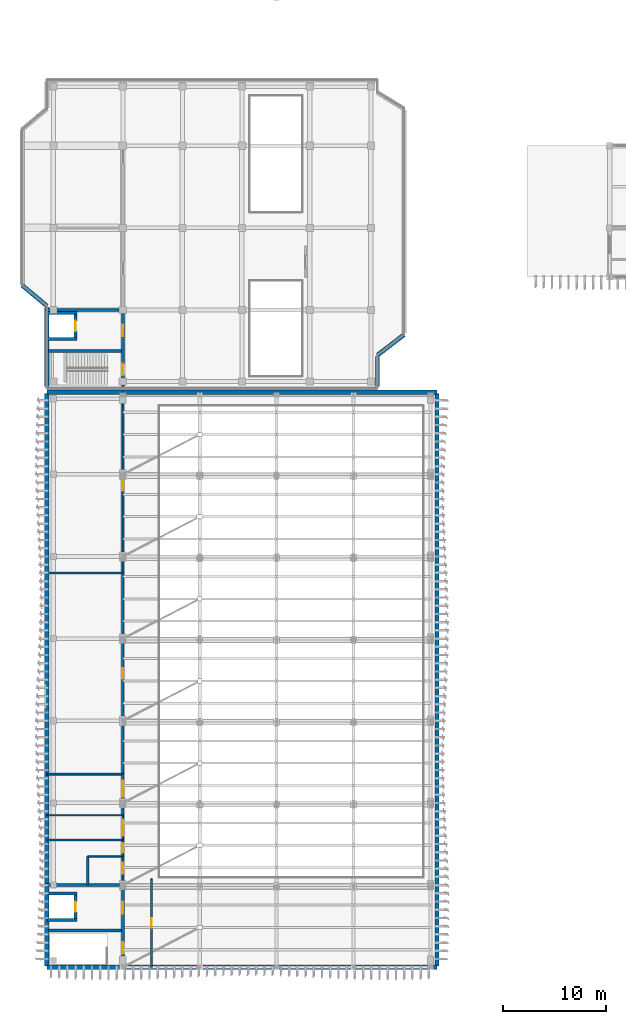
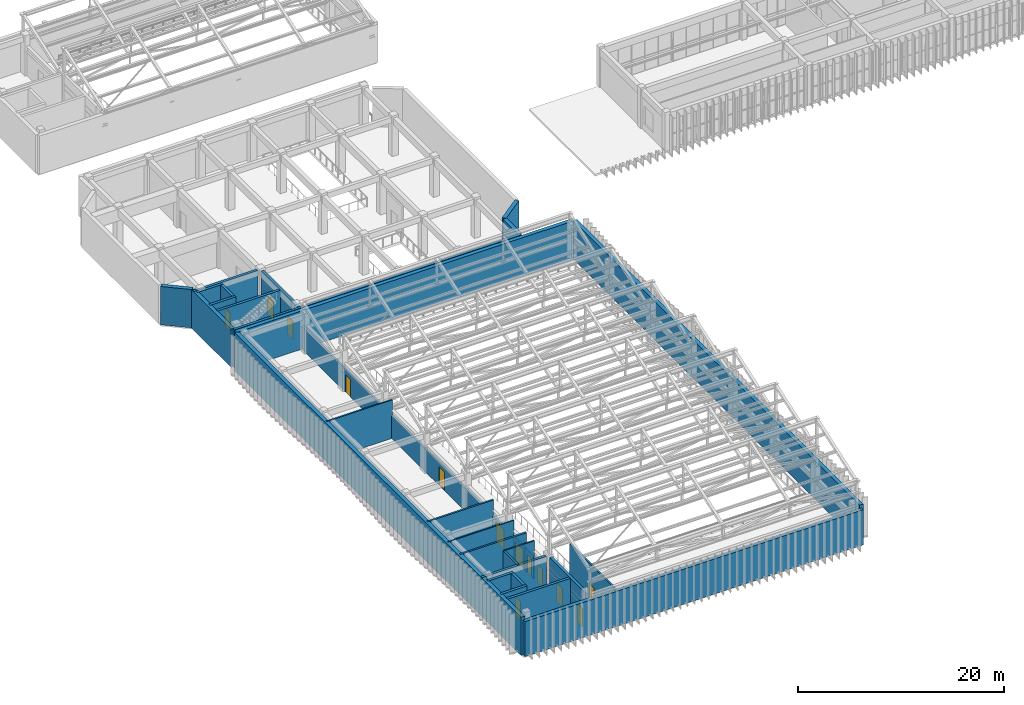
# One storey, part 52 of 76: 34 walls, 13 doors, 13 openings.
"""IFC4 building model written with IfcOpenShell, lengths in metres."""

from ifc_helpers import new_model, si_unit, direction, frame, frame_2d, origin, place, context, subcontext, project, spatial, rectangle, extrude, material, layer, layer_set, type_object, element, fill, save


model = new_model("IFC4")

# Units and contexts
model_context = context("Model", 3, precision=1e-05, world=origin(), true_north=direction((0.0, 1.0)))
body_context = subcontext(model_context, "Body", "Model", "MODEL_VIEW")
ifc_project = project(units=[si_unit("LENGTHUNIT", "METRE"), si_unit("AREAUNIT", "SQUARE_METRE"), si_unit("VOLUMEUNIT", "CUBIC_METRE"), si_unit("PLANEANGLEUNIT", "RADIAN"), si_unit("MASSUNIT", "GRAM", prefix="KILO")], contexts=[model_context])

# Site, building, storey
site_placement = place(None, origin())
site = spatial("IfcSite", under=ifc_project, at=site_placement, CompositionType="ELEMENT")
building_placement = place(site_placement, origin())
building = spatial("IfcBuilding", under=site, at=building_placement, Name="Cinchona Park Media Centre", CompositionType="ELEMENT")
storey_placement = place(building_placement, frame((0.0, 0.0, 15.60009765625)))
storey = spatial("IfcBuildingStorey", under=building, at=storey_placement, Name="L03", CompositionType="ELEMENT", Elevation=15.60009765625)

# Walls
ifc_material_1 = material(Name="Precast concrete C40/50", Category="concrete")
ifc_layer_1 = layer(ifc_material_1, 0.425048828125)
ifc_layer_set_1 = layer_set([ifc_layer_1], Name="Precast concrete C40/50")
wall_type_1 = type_object("IfcWallType", Name="WALL-W-AC01", PredefinedType="SOLIDWALL", material=ifc_layer_set_1)
wall_1_placement = place(storey_placement, frame((8.0, 63.60009765625, 0.0), z_axis=(0.0, 0.0, 1.0), x_axis=(1.0, 0.0, 0.0)))
element("IfcWall", 1, at=wall_1_placement, inside=storey, type_object=wall_type_1, Name="Exterior Wall W-AC01 V1 L03", PredefinedType="SOLIDWALL", context=body_context, shape_type="SweptSolid", body=[
    extrude(rectangle(XDim=38.0, YDim=0.425048828125, at=frame_2d((19.0, 0.0))), origin(), (0.0, 0.0, 1.0), 4.554931640625),
])
wall_2_placement = place(storey_placement, frame((46.0, 63.4599609375, 0.0), z_axis=(0.0, 0.0, 1.0), x_axis=(0.0, -1.0, 0.0)))
element("IfcWall", 2, at=wall_2_placement, inside=storey, type_object=wall_type_1, Name="Exterior Wall W-AC01 V1 L03", PredefinedType="SOLIDWALL", context=body_context, shape_type="SweptSolid", body=[
    extrude(rectangle(XDim=55.719970703125, YDim=0.425048828125, at=frame_2d((27.85986328125, 0.0))), origin(), (0.0, 0.0, 1.0), 4.554931640625),
])
wall_3_placement = place(storey_placement, frame((46.0, 7.60009765625, 0.0), z_axis=(0.0, 0.0, 1.0), x_axis=(-1.0, 0.0, 0.0)))
element("IfcWall", 3, at=wall_3_placement, inside=storey, type_object=wall_type_1, Name="Exterior Wall W-AC01 V1 L03", PredefinedType="SOLIDWALL", context=body_context, shape_type="SweptSolid", body=[
    extrude(rectangle(XDim=38.0, YDim=0.425048828125, at=frame_2d((19.0, 0.0))), origin(), (0.0, 0.0, 1.0), 4.161865234375),
])
wall_4_placement = place(storey_placement, frame((8.0, 7.739990234375, 0.0), z_axis=(0.0, 0.0, 1.0), x_axis=(0.0, 1.0, 0.0)))
element("IfcWall", 4, at=wall_4_placement, inside=storey, type_object=wall_type_1, Name="Exterior Wall W-AC01 V1 L03", PredefinedType="SOLIDWALL", context=body_context, shape_type="SweptSolid", body=[
    extrude(rectangle(XDim=55.719970703125, YDim=0.425048828125, at=frame_2d((27.85986328125, 0.0))), origin(), (0.0, 0.0, 1.0), 4.554931640625),
])
wall_5_placement = place(storey_placement, frame((8.0, 72.0, 0.0), z_axis=(0.0, 0.0, 1.0), x_axis=(-0.768208468069, 0.640199773186, 0.0)))
element("IfcWall", 5, at=wall_5_placement, inside=storey, type_object=wall_type_1, Name="Exterior Wall W-AC01 V4 L03", PredefinedType="SOLIDWALL", context=body_context, shape_type="SweptSolid", body=[
    extrude(rectangle(XDim=3.1240234375, YDim=0.425048828125, at=frame_2d((1.56201171875, 0.0))), origin(), (0.0, 0.0, 1.0), 4.5498046875),
])
wall_6_placement = place(storey_placement, frame((42.800048828125, 69.199951171875, 0.0), z_axis=(0.0, 0.0, 1.0), x_axis=(-0.792635056011, -0.609696373601, 0.0)))
element("IfcWall", 6, at=wall_6_placement, inside=storey, type_object=wall_type_1, Name="Exterior Wall W-AC01 V4 L03", PredefinedType="SOLIDWALL", context=body_context, shape_type="SweptSolid", body=[
    extrude(rectangle(XDim=3.2802734375, YDim=0.425048828125, at=frame_2d((1.64013671875, 0.0))), origin(), (0.0, 0.0, 1.0), 4.5498046875),
])
wall_7_placement = place(storey_placement, frame((40.199951171875, 67.06005859375, 0.0), z_axis=(0.0, 0.0, 1.0), x_axis=(0.0, -1.0, 0.0)))
element("IfcWall", 7, at=wall_7_placement, inside=storey, type_object=wall_type_1, Name="Exterior Wall W-AC01 V4 L03", PredefinedType="SOLIDWALL", context=body_context, shape_type="SweptSolid", body=[
    extrude(rectangle(XDim=2.920166015625, YDim=0.425048828125, at=frame_2d((1.4599609375, 0.0))), origin(), (0.0, 0.0, 1.0), 4.5498046875),
])
wall_8_placement = place(storey_placement, frame((8.0, 64.139892578125, 0.0), z_axis=(0.0, 0.0, 1.0), x_axis=(0.0, 1.0, 0.0)))
element("IfcWall", 8, at=wall_8_placement, inside=storey, type_object=wall_type_1, Name="Exterior Wall W-AC01 V4 L03", PredefinedType="SOLIDWALL", context=body_context, shape_type="SweptSolid", body=[
    extrude(rectangle(XDim=7.72021484375, YDim=0.425048828125, at=frame_2d((3.860107421875, 0.0))), origin(), (0.0, 0.0, 1.0), 4.5498046875),
])

# Wall, opening, door
ifc_material_2 = material(Name="Acoustic Double-Stud Gypsum Partition", Category="gypsum")
ifc_layer_2 = layer(ifc_material_2, 0.2099609375)
ifc_layer_set_2 = layer_set([ifc_layer_2], Name="Acoustic Double-Stud Gypsum Partition")
wall_type_2 = type_object("IfcWallType", Name="WALL-W-AC210", PredefinedType="PARTITIONING", material=ifc_layer_set_2)
wall_9_placement = place(storey_placement, frame((15.39990234375, 26.39990234375, 0.0), z_axis=(0.0, 0.0, 1.0), x_axis=(0.0, 1.0, 0.0)))
wall_9 = element("IfcWall", 9, at=wall_9_placement, inside=storey, type_object=wall_type_2, Name="Interior Wall W-AC210 L03", PredefinedType="PARTITIONING", context=body_context, shape_type="SweptSolid", body=[
    extrude(rectangle(XDim=19.60009765625, YDim=0.2099609375, at=frame_2d((9.800048828125, 0.0))), origin(), (0.0, 0.0, 1.0), 2.73193359375),
])
opening_1_placement = place(wall_9_placement, frame((9.280029296875, 0.0, 0.0)))
opening_1 = element("IfcOpeningElement", 10, at=opening_1_placement, cuts=wall_9, Name="Opening D305", PredefinedType="OPENING", context=body_context, shape_type="SweptSolid", body=[
    extrude(rectangle(XDim=1.0400390625, YDim=2.199951171875, at=frame_2d((0.52001953125, 1.10009765625))), frame((0.0, 0.114990234375, 0.0), z_axis=(0.0, -1.0, 0.0), x_axis=(1.0, 0.0, 0.0)), (0.0, 0.0, 1.0), 0.22998046875),
])
ifc_material_3 = material(Name="Fire-Rated Acoustic Timber-Steel Door", Category="steel")
door_type_1 = type_object("IfcDoorType", Name="DOOR-DT25", OperationType="NOTDEFINED", PredefinedType="DOOR", material=ifc_material_3)
door_1_placement = place(opening_1_placement, origin())
door_1 = element("IfcDoor", 11, at=door_1_placement, inside=storey, type_object=door_type_1, Name="Interior Door D305", OperationType="SINGLE_SWING_LEFT", OverallHeight=2.199951171875, OverallWidth=1.0400390625, PredefinedType="DOOR", context=body_context, shape_type="SweptSolid", body=[
    extrude(rectangle(XDim=1.0400390625, YDim=2.199951171875, at=frame_2d((0.52001953125, 1.10009765625))), frame((0.0, 0.02490234375, 0.0), z_axis=(0.0, -1.0, 0.0), x_axis=(1.0, 0.0, 0.0)), (0.0, 0.0, 1.0), 0.050048828125),
])
fill(opening_1, door_1)

# Wall
wall_10_placement = place(storey_placement, frame((8.0, 20.0, 0.0), z_axis=(0.0, 0.0, 1.0), x_axis=(1.0, 0.0, 0.0)))
element("IfcWall", 12, at=wall_10_placement, inside=storey, type_object=wall_type_2, Name="Interior Wall W-AC210 L03", PredefinedType="PARTITIONING", context=body_context, shape_type="SweptSolid", body=[
    extrude(rectangle(XDim=7.39990234375, YDim=0.2099609375, at=frame_2d((3.699951171875, 0.0))), origin(), (0.0, 0.0, 1.0), 4.554931640625),
])

# Wall, opening, door
ifc_material_4 = material(Name="Acoustic Double-Stud Gypsum Partition", Category="gypsum")
ifc_layer_3 = layer(ifc_material_4, 0.239990234375)
ifc_layer_set_3 = layer_set([ifc_layer_3], Name="Acoustic Double-Stud Gypsum Partition")
wall_type_3 = type_object("IfcWallType", Name="WALL-W-AC240", PredefinedType="PARTITIONING", material=ifc_layer_set_3)
wall_11_placement = place(storey_placement, frame((15.39990234375, 22.39990234375, 0.0), z_axis=(0.0, 0.0, 1.0), x_axis=(0.0, 1.0, 0.0)))
wall_11 = element("IfcWall", 13, at=wall_11_placement, inside=storey, type_object=wall_type_3, Name="Interior Wall W-AC240 L03", PredefinedType="PARTITIONING", context=body_context, shape_type="SweptSolid", body=[
    extrude(rectangle(XDim=4.0, YDim=0.239990234375, at=frame_2d((2.0, 0.0))), origin(), (0.0, 0.0, 1.0), 2.73193359375),
])
opening_2_placement = place(wall_11_placement, frame((1.780029296875, 0.0, 0.0)))
opening_2 = element("IfcOpeningElement", 14, at=opening_2_placement, cuts=wall_11, Name="Opening D304", PredefinedType="OPENING", context=body_context, shape_type="SweptSolid", body=[
    extrude(rectangle(XDim=1.60009765625, YDim=2.300048828125, at=frame_2d((0.800048828125, 1.14990234375))), frame((0.0, 0.1298828125, 0.0), z_axis=(0.0, -1.0, 0.0), x_axis=(1.0, 0.0, 0.0)), (0.0, 0.0, 1.0), 0.260009765625),
])
ifc_material_5 = material(Name="Solid-Core Timber Acoustic Door", Category="wood")
door_type_2 = type_object("IfcDoorType", Name="DOOR-DT17", OperationType="NOTDEFINED", PredefinedType="DOOR", material=ifc_material_5)
door_2_placement = place(opening_2_placement, origin())
door_2 = element("IfcDoor", 15, at=door_2_placement, inside=storey, type_object=door_type_2, Name="Interior Door D304", OperationType="SINGLE_SWING_RIGHT", OverallHeight=2.300048828125, OverallWidth=1.60009765625, PredefinedType="DOOR", context=body_context, shape_type="SweptSolid", body=[
    extrude(rectangle(XDim=1.60009765625, YDim=2.300048828125, at=frame_2d((0.800048828125, 1.14990234375))), frame((0.0, 0.02490234375, 0.0), z_axis=(0.0, -1.0, 0.0), x_axis=(1.0, 0.0, 0.0)), (0.0, 0.0, 1.0), 0.050048828125),
])
fill(opening_2, door_2)

# Walls
wall_12_placement = place(storey_placement, frame((12.0, 15.60009765625, 0.0), z_axis=(0.0, 0.0, 1.0), x_axis=(0.0, 1.0, 0.0)))
element("IfcWall", 16, at=wall_12_placement, inside=storey, type_object=wall_type_3, Name="Interior Wall W-AC240 L03", PredefinedType="PARTITIONING", context=body_context, shape_type="SweptSolid", body=[
    extrude(rectangle(XDim=2.7998046875, YDim=0.239990234375, at=frame_2d((1.39990234375, 0.0))), origin(), (0.0, 0.0, 1.0), 4.554931640625),
])
ifc_material_6 = material(Name="Precast concrete C40/50", Category="concrete")
ifc_layer_4 = layer(ifc_material_6, 0.27490234375)
ifc_layer_set_4 = layer_set([ifc_layer_4], Name="Precast concrete C40/50")
wall_type_4 = type_object("IfcWallType", Name="WALL-W-EX03", PredefinedType="SOLIDWALL", material=ifc_layer_set_4)
wall_13_placement = place(storey_placement, frame((40.199951171875, 64.0, 0.0), z_axis=(0.0, 0.0, 1.0), x_axis=(-1.0, 0.0, 0.0)))
element("IfcWall", 17, at=wall_13_placement, inside=storey, type_object=wall_type_4, Name="Exterior Wall W-EX03 V4 L03", PredefinedType="SOLIDWALL", context=body_context, shape_type="SweptSolid", body=[
    extrude(rectangle(XDim=32.199951171875, YDim=0.27490234375, at=frame_2d((16.10009765625, 0.0))), origin(), (0.0, 0.0, 1.0), 4.5498046875),
])
ifc_material_7 = material(Name="Gypsum Metal-Stud Partition", Category="gypsum")
ifc_layer_5 = layer(ifc_material_7, 0.114990234375)
ifc_layer_set_5 = layer_set([ifc_layer_5], Name="Gypsum Metal-Stud Partition")
wall_type_5 = type_object("IfcWallType", Name="WALL-W-PT115", PredefinedType="PARTITIONING", material=ifc_layer_set_5)
wall_14_placement = place(storey_placement, frame((8.0, 22.39990234375, 0.0), z_axis=(0.0, 0.0, 1.0), x_axis=(1.0, 0.0, 0.0)))
element("IfcWall", 18, at=wall_14_placement, inside=storey, type_object=wall_type_5, Name="Interior Wall W-PT115 L03", PredefinedType="PARTITIONING", context=body_context, shape_type="SweptSolid", body=[
    extrude(rectangle(XDim=7.39990234375, YDim=0.114990234375, at=frame_2d((3.699951171875, 0.0))), origin(), (0.0, 0.0, 1.0), 4.554931640625),
])

# Wall, opening, door
ifc_material_8 = material(Name="Fire-Rated Gypsum Stud Partition", Category="gypsum")
ifc_layer_6 = layer(ifc_material_8, 0.14990234375)
ifc_layer_set_6 = layer_set([ifc_layer_6], Name="Fire-Rated Gypsum Stud Partition")
wall_type_6 = type_object("IfcWallType", Name="WALL-W-PT150", PredefinedType="PARTITIONING", material=ifc_layer_set_6)
wall_15_placement = place(storey_placement, frame((15.39990234375, 20.0, 0.0), z_axis=(0.0, 0.0, 1.0), x_axis=(0.0, 1.0, 0.0)))
wall_15 = element("IfcWall", 19, at=wall_15_placement, inside=storey, type_object=wall_type_6, Name="Interior Wall W-PT150 L03", PredefinedType="PARTITIONING", context=body_context, shape_type="SweptSolid", body=[
    extrude(rectangle(XDim=2.39990234375, YDim=0.14990234375, at=frame_2d((1.199951171875, 0.0))), origin(), (0.0, 0.0, 1.0), 2.73193359375),
])
opening_3_placement = place(wall_15_placement, frame((0.425048828125, 0.0, 0.0)))
opening_3 = element("IfcOpeningElement", 20, at=opening_3_placement, cuts=wall_15, Name="Opening D303", PredefinedType="OPENING", context=body_context, shape_type="SweptSolid", body=[
    extrude(rectangle(XDim=1.550048828125, YDim=2.25, at=frame_2d((0.77490234375, 1.125))), frame((0.0, 0.0849609375, 0.0), z_axis=(0.0, -1.0, 0.0), x_axis=(1.0, 0.0, 0.0)), (0.0, 0.0, 1.0), 0.169921875),
])
ifc_material_9 = material(Name="Solid-Core Timber Acoustic Door", Category="wood")
door_type_3 = type_object("IfcDoorType", Name="DOOR-DT16", OperationType="NOTDEFINED", PredefinedType="DOOR", material=ifc_material_9)
door_3_placement = place(opening_3_placement, origin())
door_3 = element("IfcDoor", 21, at=door_3_placement, inside=storey, type_object=door_type_3, Name="Interior Door D303", OperationType="SINGLE_SWING_LEFT", OverallHeight=2.25, OverallWidth=1.550048828125, PredefinedType="DOOR", context=body_context, shape_type="SweptSolid", body=[
    extrude(rectangle(XDim=1.550048828125, YDim=2.25, at=frame_2d((0.77490234375, 1.125))), frame((0.0, 0.02490234375, 0.0), z_axis=(0.0, -1.0, 0.0), x_axis=(1.0, 0.0, 0.0)), (0.0, 0.0, 1.0), 0.050048828125),
])
fill(opening_3, door_3)

# Wall
wall_16_placement = place(storey_placement, frame((12.0, 18.39990234375, 0.0), z_axis=(0.0, 0.0, 1.0), x_axis=(1.0, 0.0, 0.0)))
element("IfcWall", 22, at=wall_16_placement, inside=storey, type_object=wall_type_6, Name="Interior Wall W-PT150 L03", PredefinedType="PARTITIONING", context=body_context, shape_type="SweptSolid", body=[
    extrude(rectangle(XDim=3.39990234375, YDim=0.14990234375, at=frame_2d((1.699951171875, 0.0))), origin(), (0.0, 0.0, 1.0), 4.554931640625),
])

# Wall, opening, door
ifc_material_10 = material(Name="Fire-Rated Gypsum Stud Partition", Category="gypsum")
ifc_layer_7 = layer(ifc_material_10, 0.1650390625)
ifc_layer_set_7 = layer_set([ifc_layer_7], Name="Fire-Rated Gypsum Stud Partition")
wall_type_7 = type_object("IfcWallType", Name="WALL-W-PT165", PredefinedType="PARTITIONING", material=ifc_layer_set_7)
wall_17_placement = place(storey_placement, frame((15.39990234375, 18.39990234375, 0.0), z_axis=(0.0, 0.0, 1.0), x_axis=(0.0, 1.0, 0.0)))
wall_17 = element("IfcWall", 23, at=wall_17_placement, inside=storey, type_object=wall_type_7, Name="Interior Wall W-PT165 L03", PredefinedType="PARTITIONING", context=body_context, shape_type="SweptSolid", body=[
    extrude(rectangle(XDim=1.60009765625, YDim=0.1650390625, at=frame_2d((0.800048828125, 0.0))), origin(), (0.0, 0.0, 1.0), 2.73193359375),
])
opening_4_placement = place(wall_17_placement, frame((0.330078125, 0.0, 0.0)))
opening_4 = element("IfcOpeningElement", 24, at=opening_4_placement, cuts=wall_17, Name="Opening D302", PredefinedType="OPENING", context=body_context, shape_type="SweptSolid", body=[
    extrude(rectangle(XDim=0.93994140625, YDim=2.14990234375, at=frame_2d((0.469970703125, 1.074951171875))), frame((0.0, 0.092529296875, 0.0), z_axis=(0.0, -1.0, 0.0), x_axis=(1.0, 0.0, 0.0)), (0.0, 0.0, 1.0), 0.18505859375),
])
ifc_material_11 = material(Name="Fire-Rated Acoustic Timber-Steel Door", Category="steel")
door_type_4 = type_object("IfcDoorType", Name="DOOR-DT24", OperationType="NOTDEFINED", PredefinedType="DOOR", material=ifc_material_11)
door_4_placement = place(opening_4_placement, origin())
door_4 = element("IfcDoor", 25, at=door_4_placement, inside=storey, type_object=door_type_4, Name="Interior Door D302", OperationType="SINGLE_SWING_RIGHT", OverallHeight=2.14990234375, OverallWidth=0.93994140625, PredefinedType="DOOR", context=body_context, shape_type="SweptSolid", body=[
    extrude(rectangle(XDim=0.93994140625, YDim=2.14990234375, at=frame_2d((0.469970703125, 1.074951171875))), frame((0.0, 0.02490234375, 0.0), z_axis=(0.0, -1.0, 0.0), x_axis=(1.0, 0.0, 0.0)), (0.0, 0.0, 1.0), 0.050048828125),
])
fill(opening_4, door_4)

wall_18_placement = place(storey_placement, frame((18.199951171875, 16.199951171875, 0.0), z_axis=(0.0, 0.0, 1.0), x_axis=(0.0, -1.0, 0.0)))
wall_18 = element("IfcWall", 26, at=wall_18_placement, inside=storey, type_object=wall_type_7, Name="Interior Wall W-PT165 L03", PredefinedType="PARTITIONING", context=body_context, shape_type="SweptSolid", body=[
    extrude(rectangle(XDim=8.599853515625, YDim=0.1650390625, at=frame_2d((4.2998046875, 0.0))), origin(), (0.0, 0.0, 1.0), 4.554931640625),
])
opening_5_placement = place(wall_18_placement, frame((3.840087890625, 0.0, 0.0)))
opening_5 = element("IfcOpeningElement", 27, at=opening_5_placement, cuts=wall_18, Name="Opening D307", PredefinedType="OPENING", context=body_context, shape_type="SweptSolid", body=[
    extrude(rectangle(XDim=0.919921875, YDim=2.10009765625, at=frame_2d((0.4599609375, 1.050048828125))), frame((0.0, 0.092529296875, 0.0), z_axis=(0.0, -1.0, 0.0), x_axis=(1.0, 0.0, 0.0)), (0.0, 0.0, 1.0), 0.18505859375),
])
ifc_material_12 = material(Name="Solid-Core Timber Acoustic Door", Category="wood")
door_type_5 = type_object("IfcDoorType", Name="DOOR-DT01", OperationType="NOTDEFINED", PredefinedType="DOOR", material=ifc_material_12)
door_5_placement = place(opening_5_placement, origin())
door_5 = element("IfcDoor", 28, at=door_5_placement, inside=storey, type_object=door_type_5, Name="Interior Door D307", OperationType="SINGLE_SWING_LEFT", OverallHeight=2.10009765625, OverallWidth=0.919921875, PredefinedType="DOOR", context=body_context, shape_type="SweptSolid", body=[
    extrude(rectangle(XDim=0.919921875, YDim=2.10009765625, at=frame_2d((0.4599609375, 1.050048828125))), frame((0.0, 0.02490234375, 0.0), z_axis=(0.0, -1.0, 0.0), x_axis=(1.0, 0.0, 0.0)), (0.0, 0.0, 1.0), 0.050048828125),
])
fill(opening_5, door_5)

# Wall
wall_19_placement = place(storey_placement, frame((8.0, 46.0, 0.0), z_axis=(0.0, 0.0, 1.0), x_axis=(1.0, 0.0, 0.0)))
element("IfcWall", 29, at=wall_19_placement, inside=storey, type_object=wall_type_7, Name="Interior Wall W-PT165 L03", PredefinedType="PARTITIONING", context=body_context, shape_type="SweptSolid", body=[
    extrude(rectangle(XDim=7.39990234375, YDim=0.1650390625, at=frame_2d((3.699951171875, 0.0))), origin(), (0.0, 0.0, 1.0), 4.554931640625),
])

# Wall, opening, door
ifc_material_13 = material(Name="Fire-Rated Gypsum Stud Partition", Category="gypsum")
ifc_layer_8 = layer(ifc_material_13, 0.18994140625)
ifc_layer_set_8 = layer_set([ifc_layer_8], Name="Fire-Rated Gypsum Stud Partition")
wall_type_8 = type_object("IfcWallType", Name="WALL-W-PT190", PredefinedType="PARTITIONING", material=ifc_layer_set_8)
wall_20_placement = place(storey_placement, frame((15.39990234375, 16.052001953125, 0.0), z_axis=(0.0, 0.0, 1.0), x_axis=(0.0, 1.0, 0.0)))
wall_20 = element("IfcWall", 30, at=wall_20_placement, inside=storey, type_object=wall_type_8, Name="Interior Wall W-PT190 L03", PredefinedType="PARTITIONING", context=body_context, shape_type="SweptSolid", body=[
    extrude(rectangle(XDim=2.347900390625, YDim=0.18994140625, at=frame_2d((1.173828125, 0.0))), origin(), (0.0, 0.0, 1.0), 2.73193359375),
])
opening_6_placement = place(wall_20_placement, frame((0.64892578125, 0.0, 0.0)))
opening_6 = element("IfcOpeningElement", 31, at=opening_6_placement, cuts=wall_20, Name="Opening D301", PredefinedType="OPENING", context=body_context, shape_type="SweptSolid", body=[
    extrude(rectangle(XDim=1.050048828125, YDim=2.14990234375, at=frame_2d((0.52490234375, 1.074951171875))), frame((0.0, 0.10498046875, 0.0), z_axis=(0.0, -1.0, 0.0), x_axis=(1.0, 0.0, 0.0)), (0.0, 0.0, 1.0), 0.2099609375),
])
ifc_material_14 = material(Name="Solid-Core Timber Acoustic Door", Category="wood")
door_type_6 = type_object("IfcDoorType", Name="DOOR-DT06", OperationType="NOTDEFINED", PredefinedType="DOOR", material=ifc_material_14)
door_6_placement = place(opening_6_placement, origin())
door_6 = element("IfcDoor", 32, at=door_6_placement, inside=storey, type_object=door_type_6, Name="Interior Door D301", OperationType="SINGLE_SWING_LEFT", OverallHeight=2.14990234375, OverallWidth=1.050048828125, PredefinedType="DOOR", context=body_context, shape_type="SweptSolid", body=[
    extrude(rectangle(XDim=1.050048828125, YDim=2.14990234375, at=frame_2d((0.52490234375, 1.074951171875))), frame((0.0, 0.02490234375, 0.0), z_axis=(0.0, -1.0, 0.0), x_axis=(1.0, 0.0, 0.0)), (0.0, 0.0, 1.0), 0.050048828125),
])
fill(opening_6, door_6)

wall_21_placement = place(storey_placement, frame((15.39990234375, 46.0, 0.0), z_axis=(0.0, 0.0, 1.0), x_axis=(0.0, 1.0, 0.0)))
wall_21 = element("IfcWall", 33, at=wall_21_placement, inside=storey, type_object=wall_type_8, Name="Interior Wall W-PT190 L03", PredefinedType="PARTITIONING", context=body_context, shape_type="SweptSolid", body=[
    extrude(rectangle(XDim=17.60009765625, YDim=0.18994140625, at=frame_2d((8.800048828125, 0.0))), origin(), (0.0, 0.0, 1.0), 2.73193359375),
])
opening_7_placement = place(wall_21_placement, frame((7.97998046875, 0.0, 0.0)))
opening_7 = element("IfcOpeningElement", 34, at=opening_7_placement, cuts=wall_21, Name="Opening D306", PredefinedType="OPENING", context=body_context, shape_type="SweptSolid", body=[
    extrude(rectangle(XDim=0.97998046875, YDim=2.10009765625, at=frame_2d((0.489990234375, 1.050048828125))), frame((0.0, 0.10498046875, 0.0), z_axis=(0.0, -1.0, 0.0), x_axis=(1.0, 0.0, 0.0)), (0.0, 0.0, 1.0), 0.2099609375),
])
ifc_material_15 = material(Name="Fire-Rated Acoustic Timber-Steel Door", Category="steel")
door_type_7 = type_object("IfcDoorType", Name="DOOR-DT03", OperationType="NOTDEFINED", PredefinedType="DOOR", material=ifc_material_15)
door_7_placement = place(opening_7_placement, origin())
door_7 = element("IfcDoor", 35, at=door_7_placement, inside=storey, type_object=door_type_7, Name="Interior Door D306", OperationType="SINGLE_SWING_RIGHT", OverallHeight=2.10009765625, OverallWidth=0.97998046875, PredefinedType="DOOR", context=body_context, shape_type="SweptSolid", body=[
    extrude(rectangle(XDim=0.97998046875, YDim=2.10009765625, at=frame_2d((0.489990234375, 1.050048828125))), frame((0.0, 0.02490234375, 0.0), z_axis=(0.0, -1.0, 0.0), x_axis=(1.0, 0.0, 0.0)), (0.0, 0.0, 1.0), 0.050048828125),
])
fill(opening_7, door_7)

# Walls
wall_22_placement = place(storey_placement, frame((8.0, 26.39990234375, 0.0), z_axis=(0.0, 0.0, 1.0), x_axis=(1.0, 0.0, 0.0)))
element("IfcWall", 36, at=wall_22_placement, inside=storey, type_object=wall_type_8, Name="Interior Wall W-PT190 L03", PredefinedType="PARTITIONING", context=body_context, shape_type="SweptSolid", body=[
    extrude(rectangle(XDim=7.39990234375, YDim=0.18994140625, at=frame_2d((3.699951171875, 0.0))), origin(), (0.0, 0.0, 1.0), 4.554931640625),
])
ifc_material_16 = material(Name="Concrete C40/50", Category="concrete")
ifc_layer_9 = layer(ifc_material_16, 0.2900390625)
ifc_layer_set_9 = layer_set([ifc_layer_9], Name="Concrete C40/50")
wall_type_9 = type_object("IfcWallType", Name="WALL-W-SH290", PredefinedType="SHEAR", material=ifc_layer_set_9)
wall_23_placement = place(storey_placement, frame((7.85498046875, 71.60009765625, 0.0), z_axis=(0.0, 0.0, 1.0), x_axis=(1.0, 0.0, 0.0)))
element("IfcWall", 37, at=wall_23_placement, inside=storey, type_object=wall_type_9, Name="Core Shear Wall W-SH290 L03", PredefinedType="SHEAR", context=body_context, shape_type="SweptSolid", body=[
    extrude(rectangle(XDim=7.193115234375, YDim=0.2900390625, at=frame_2d((3.5966796875, 0.0))), origin(), (0.0, 0.0, 1.0), 4.5498046875),
])

# Wall, openings, doors
wall_24_placement = place(storey_placement, frame((15.39990234375, 64.14501953125, 0.0), z_axis=(0.0, 0.0, 1.0), x_axis=(0.0, 1.0, 0.0)))
wall_24 = element("IfcWall", 38, at=wall_24_placement, inside=storey, type_object=wall_type_9, Name="Core Shear Wall W-SH290 L03", PredefinedType="SHEAR", context=body_context, shape_type="SweptSolid", body=[
    extrude(rectangle(XDim=7.10302734375, YDim=0.2900390625, at=frame_2d((3.551513671875, 0.0))), origin(), (0.0, 0.0, 1.0), 4.5498046875),
])
opening_8_placement = place(wall_24_placement, frame((1.10498046875, 0.0, 0.0)))
opening_8 = element("IfcOpeningElement", 39, at=opening_8_placement, cuts=wall_24, Name="Opening D096", PredefinedType="OPENING", context=body_context, shape_type="SweptSolid", body=[
    extrude(rectangle(XDim=1.10009765625, YDim=2.14990234375, at=frame_2d((0.550048828125, 1.074951171875))), frame((0.0, 0.155029296875, 0.0), z_axis=(0.0, -1.0, 0.0), x_axis=(1.0, 0.0, 0.0)), (0.0, 0.0, 1.0), 0.31005859375),
])
opening_9_placement = place(wall_24_placement, frame((4.8798828125, 0.0, 0.0)))
opening_9 = element("IfcOpeningElement", 40, at=opening_9_placement, cuts=wall_24, Name="Opening D097", PredefinedType="OPENING", context=body_context, shape_type="SweptSolid", body=[
    extrude(rectangle(XDim=1.14990234375, YDim=2.199951171875, at=frame_2d((0.574951171875, 1.10009765625))), frame((0.0, 0.155029296875, 0.0), z_axis=(0.0, -1.0, 0.0), x_axis=(1.0, 0.0, 0.0)), (0.0, 0.0, 1.0), 0.31005859375),
])
ifc_material_17 = material(Name="Insulated Fire-Rated Steel Door", Category="steel")
door_type_8 = type_object("IfcDoorType", Name="DOOR-DT-FF", OperationType="NOTDEFINED", PredefinedType="DOOR", material=ifc_material_17)
door_8_placement = place(opening_9_placement, origin())
door_8 = element("IfcDoor", 41, at=door_8_placement, inside=storey, type_object=door_type_8, Name="Interior Door D097", OperationType="SINGLE_SWING_LEFT", OverallHeight=2.199951171875, OverallWidth=1.14990234375, PredefinedType="DOOR", context=body_context, shape_type="SweptSolid", body=[
    extrude(rectangle(XDim=1.14990234375, YDim=2.199951171875, at=frame_2d((0.574951171875, 1.10009765625))), frame((0.0, 0.02490234375, 0.0), z_axis=(0.0, -1.0, 0.0), x_axis=(1.0, 0.0, 0.0)), (0.0, 0.0, 1.0), 0.050048828125),
])
fill(opening_9, door_8)
ifc_material_18 = material(Name="Insulated Fire-Rated Steel Door", Category="steel")
door_type_9 = type_object("IfcDoorType", Name="DOOR-DT-ST", OperationType="NOTDEFINED", PredefinedType="DOOR", material=ifc_material_18)
door_9_placement = place(opening_8_placement, origin())
door_9 = element("IfcDoor", 42, at=door_9_placement, inside=storey, type_object=door_type_9, Name="Interior Door D096", OperationType="SINGLE_SWING_RIGHT", OverallHeight=2.14990234375, OverallWidth=1.10009765625, PredefinedType="DOOR", context=body_context, shape_type="SweptSolid", body=[
    extrude(rectangle(XDim=1.10009765625, YDim=2.14990234375, at=frame_2d((0.550048828125, 1.074951171875))), frame((0.0, 0.02490234375, 0.0), z_axis=(0.0, -1.0, 0.0), x_axis=(1.0, 0.0, 0.0)), (0.0, 0.0, 1.0), 0.050048828125),
])
fill(opening_8, door_9)

# Walls
wall_25_placement = place(storey_placement, frame((8.14501953125, 67.60009765625, 0.0), z_axis=(0.0, 0.0, 1.0), x_axis=(1.0, 0.0, 0.0)))
element("IfcWall", 43, at=wall_25_placement, inside=storey, type_object=wall_type_9, Name="Core Shear Wall W-SH290 L03", PredefinedType="SHEAR", context=body_context, shape_type="SweptSolid", body=[
    extrude(rectangle(XDim=7.10986328125, YDim=0.2900390625, at=frame_2d((3.554931640625, 0.0))), origin(), (0.0, 0.0, 1.0), 4.5498046875),
])
for number, where, z_axis, x_axis, name in (
    (44, (8.054931640625, 68.800048828125, 0.0), (0.0, 0.0, 1.0), (1.0, 0.0, 0.0), "Core Shear Wall W-SH290 L03"),
    (45, (8.054931640625, 71.300048828125, 0.0), (0.0, 0.0, 1.0), (1.0, 0.0, 0.0), "Core Shear Wall W-SH290 L03"),
):
    element("IfcWall", number, at=place(storey_placement, frame(where, z_axis=z_axis, x_axis=x_axis)), inside=storey, type_object=wall_type_9, Name=name, PredefinedType="SHEAR", context=body_context, shape_type="SweptSolid", body=[
        extrude(rectangle(XDim=2.89013671875, YDim=0.2900390625, at=frame_2d((1.445068359375, 0.0))), origin(), (0.0, 0.0, 1.0), 4.5498046875),
    ])

# Wall, opening, door
wall_26_placement = place(storey_placement, frame((10.800048828125, 68.945068359375, 0.0), z_axis=(0.0, 0.0, 1.0), x_axis=(0.0, 1.0, 0.0)))
wall_26 = element("IfcWall", 46, at=wall_26_placement, inside=storey, type_object=wall_type_9, Name="Core Shear Wall W-SH290 L03", PredefinedType="SHEAR", context=body_context, shape_type="SweptSolid", body=[
    extrude(rectangle(XDim=2.2099609375, YDim=0.2900390625, at=frame_2d((1.10498046875, 0.0))), origin(), (0.0, 0.0, 1.0), 4.5498046875),
])
opening_10_placement = place(wall_26_placement, frame((0.60498046875, 0.0, 0.0)))
opening_10 = element("IfcOpeningElement", 47, at=opening_10_placement, cuts=wall_26, Name="Opening LD31", PredefinedType="OPENING", context=body_context, shape_type="SweptSolid", body=[
    extrude(rectangle(XDim=1.0, YDim=2.14990234375, at=frame_2d((0.5, 1.074951171875))), frame((0.0, 0.155029296875, 0.0), z_axis=(0.0, -1.0, 0.0), x_axis=(1.0, 0.0, 0.0)), (0.0, 0.0, 1.0), 0.31005859375),
])
ifc_material_19 = material(Name="Stainless Steel Sliding Lift Landing Door", Category="steel")
door_type_10 = type_object("IfcDoorType", Name="DOOR-DT-LD2", OperationType="NOTDEFINED", PredefinedType="DOOR", material=ifc_material_19)
door_10_placement = place(opening_10_placement, origin())
door_10 = element("IfcDoor", 48, at=door_10_placement, inside=storey, type_object=door_type_10, Name="Lift Landing Door LD31", OperationType="SLIDING_TO_LEFT", OverallHeight=2.14990234375, OverallWidth=1.0, PredefinedType="DOOR", context=body_context, shape_type="SweptSolid", body=[
    extrude(rectangle(XDim=1.0, YDim=2.14990234375, at=frame_2d((0.5, 1.074951171875))), frame((0.0, 0.02490234375, 0.0), z_axis=(0.0, -1.0, 0.0), x_axis=(1.0, 0.0, 0.0)), (0.0, 0.0, 1.0), 0.050048828125),
])
fill(opening_10, door_10)

# Wall
wall_27_placement = place(storey_placement, frame((7.85498046875, 15.60009765625, 0.0), z_axis=(0.0, 0.0, 1.0), x_axis=(1.0, 0.0, 0.0)))
element("IfcWall", 49, at=wall_27_placement, inside=storey, type_object=wall_type_9, Name="Core Shear Wall W-SH290 L03", PredefinedType="SHEAR", context=body_context, shape_type="SweptSolid", body=[
    extrude(rectangle(XDim=7.242919921875, YDim=0.2900390625, at=frame_2d((3.62158203125, 0.0))), origin(), (0.0, 0.0, 1.0), 4.554931640625),
])

# Wall, openings, doors
wall_28_placement = place(storey_placement, frame((15.39990234375, 8.69189453125, 0.0), z_axis=(0.0, 0.0, 1.0), x_axis=(0.0, 1.0, 0.0)))
wall_28 = element("IfcWall", 50, at=wall_28_placement, inside=storey, type_object=wall_type_9, Name="Core Shear Wall W-SH290 L03", PredefinedType="SHEAR", context=body_context, shape_type="SweptSolid", body=[
    extrude(rectangle(XDim=6.4560546875, YDim=0.2900390625, at=frame_2d((3.22802734375, 0.0))), origin(), (0.0, 0.0, 1.0), 4.554931640625),
])
opening_11_placement = place(wall_28_placement, frame((0.219970703125, 0.0, 0.0)))
opening_11 = element("IfcOpeningElement", 51, at=opening_11_placement, cuts=wall_28, Name="Opening D102", PredefinedType="OPENING", context=body_context, shape_type="SweptSolid", body=[
    extrude(rectangle(XDim=1.10009765625, YDim=2.14990234375, at=frame_2d((0.550048828125, 1.074951171875))), frame((0.0, 0.155029296875, 0.0), z_axis=(0.0, -1.0, 0.0), x_axis=(1.0, 0.0, 0.0)), (0.0, 0.0, 1.0), 0.31005859375),
])
opening_12_placement = place(wall_28_placement, frame((4.133056640625, 0.0, 0.0)))
opening_12 = element("IfcOpeningElement", 52, at=opening_12_placement, cuts=wall_28, Name="Opening D103", PredefinedType="OPENING", context=body_context, shape_type="SweptSolid", body=[
    extrude(rectangle(XDim=1.14990234375, YDim=2.199951171875, at=frame_2d((0.574951171875, 1.10009765625))), frame((0.0, 0.155029296875, 0.0), z_axis=(0.0, -1.0, 0.0), x_axis=(1.0, 0.0, 0.0)), (0.0, 0.0, 1.0), 0.31005859375),
])
door_11_placement = place(opening_12_placement, origin())
door_11 = element("IfcDoor", 53, at=door_11_placement, inside=storey, type_object=door_type_8, Name="Interior Door D103", OperationType="SINGLE_SWING_LEFT", OverallHeight=2.199951171875, OverallWidth=1.14990234375, PredefinedType="DOOR", context=body_context, shape_type="SweptSolid", body=[
    extrude(rectangle(XDim=1.14990234375, YDim=2.199951171875, at=frame_2d((0.574951171875, 1.10009765625))), frame((0.0, 0.02490234375, 0.0), z_axis=(0.0, -1.0, 0.0), x_axis=(1.0, 0.0, 0.0)), (0.0, 0.0, 1.0), 0.050048828125),
])
fill(opening_12, door_11)
door_12_placement = place(opening_11_placement, origin())
door_12 = element("IfcDoor", 54, at=door_12_placement, inside=storey, type_object=door_type_9, Name="Interior Door D102", OperationType="SINGLE_SWING_RIGHT", OverallHeight=2.14990234375, OverallWidth=1.10009765625, PredefinedType="DOOR", context=body_context, shape_type="SweptSolid", body=[
    extrude(rectangle(XDim=1.10009765625, YDim=2.14990234375, at=frame_2d((0.550048828125, 1.074951171875))), frame((0.0, 0.02490234375, 0.0), z_axis=(0.0, -1.0, 0.0), x_axis=(1.0, 0.0, 0.0)), (0.0, 0.0, 1.0), 0.050048828125),
])
fill(opening_11, door_12)

# Walls
wall_29_placement = place(storey_placement, frame((8.14501953125, 11.199951171875, 0.0), z_axis=(0.0, 0.0, 1.0), x_axis=(1.0, 0.0, 0.0)))
element("IfcWall", 55, at=wall_29_placement, inside=storey, type_object=wall_type_9, Name="Core Shear Wall W-SH290 L03", PredefinedType="SHEAR", context=body_context, shape_type="SweptSolid", body=[
    extrude(rectangle(XDim=7.10986328125, YDim=0.2900390625, at=frame_2d((3.554931640625, 0.0))), origin(), (0.0, 0.0, 1.0), 4.554931640625),
])
for number, where, z_axis, x_axis, name in (
    (56, (8.054931640625, 12.199951171875, 0.0), (0.0, 0.0, 1.0), (1.0, 0.0, 0.0), "Core Shear Wall W-SH290 L03"),
    (57, (8.054931640625, 14.800048828125, 0.0), (0.0, 0.0, 1.0), (1.0, 0.0, 0.0), "Core Shear Wall W-SH290 L03"),
):
    element("IfcWall", number, at=place(storey_placement, frame(where, z_axis=z_axis, x_axis=x_axis)), inside=storey, type_object=wall_type_9, Name=name, PredefinedType="SHEAR", context=body_context, shape_type="SweptSolid", body=[
        extrude(rectangle(XDim=2.89013671875, YDim=0.2900390625, at=frame_2d((1.445068359375, 0.0))), origin(), (0.0, 0.0, 1.0), 4.554931640625),
    ])

# Wall, opening, door
wall_30_placement = place(storey_placement, frame((10.800048828125, 12.344970703125, 0.0), z_axis=(0.0, 0.0, 1.0), x_axis=(0.0, 1.0, 0.0)))
wall_30 = element("IfcWall", 58, at=wall_30_placement, inside=storey, type_object=wall_type_9, Name="Core Shear Wall W-SH290 L03", PredefinedType="SHEAR", context=body_context, shape_type="SweptSolid", body=[
    extrude(rectangle(XDim=2.31005859375, YDim=0.2900390625, at=frame_2d((1.155029296875, 0.0))), origin(), (0.0, 0.0, 1.0), 4.554931640625),
])
opening_13_placement = place(wall_30_placement, frame((0.655029296875, 0.0, 0.0)))
opening_13 = element("IfcOpeningElement", 59, at=opening_13_placement, cuts=wall_30, Name="Opening LD34", PredefinedType="OPENING", context=body_context, shape_type="SweptSolid", body=[
    extrude(rectangle(XDim=1.0, YDim=2.14990234375, at=frame_2d((0.5, 1.074951171875))), frame((0.0, 0.155029296875, 0.0), z_axis=(0.0, -1.0, 0.0), x_axis=(1.0, 0.0, 0.0)), (0.0, 0.0, 1.0), 0.31005859375),
])
door_13_placement = place(opening_13_placement, origin())
door_13 = element("IfcDoor", 60, at=door_13_placement, inside=storey, type_object=door_type_10, Name="Lift Landing Door LD34", OperationType="SLIDING_TO_LEFT", OverallHeight=2.14990234375, OverallWidth=1.0, PredefinedType="DOOR", context=body_context, shape_type="SweptSolid", body=[
    extrude(rectangle(XDim=1.0, YDim=2.14990234375, at=frame_2d((0.5, 1.074951171875))), frame((0.0, 0.02490234375, 0.0), z_axis=(0.0, -1.0, 0.0), x_axis=(1.0, 0.0, 0.0)), (0.0, 0.0, 1.0), 0.050048828125),
])
fill(opening_13, door_13)

save(model, "model.ifc")
